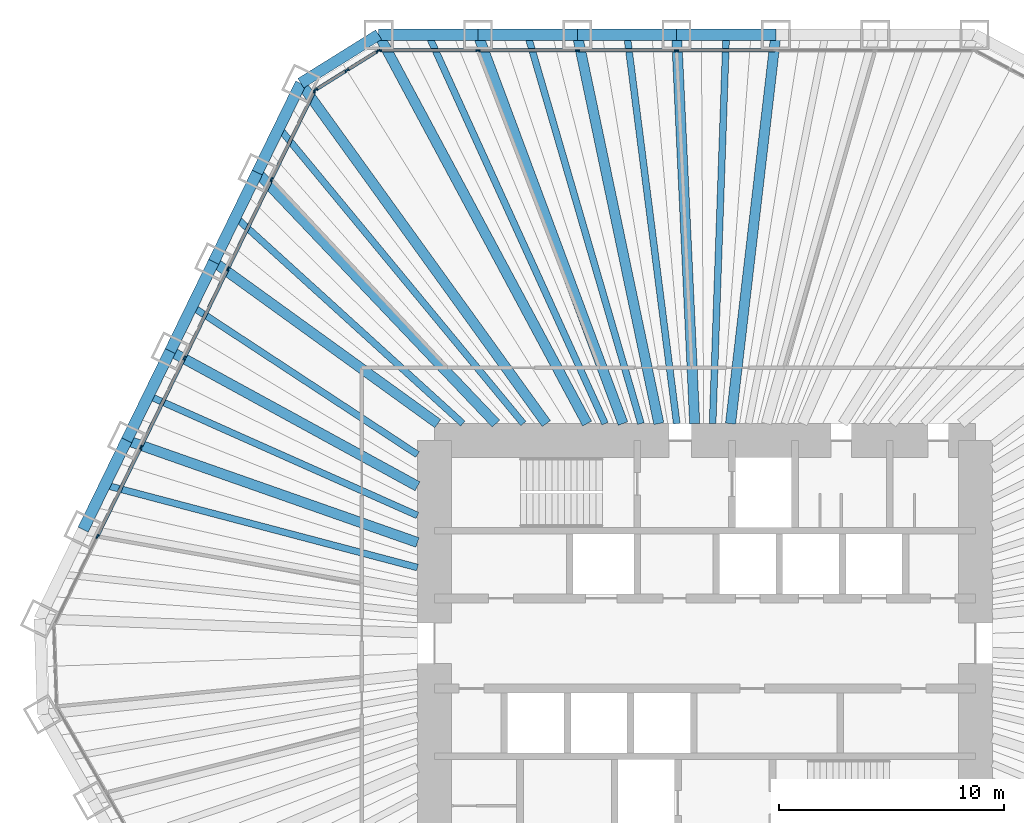
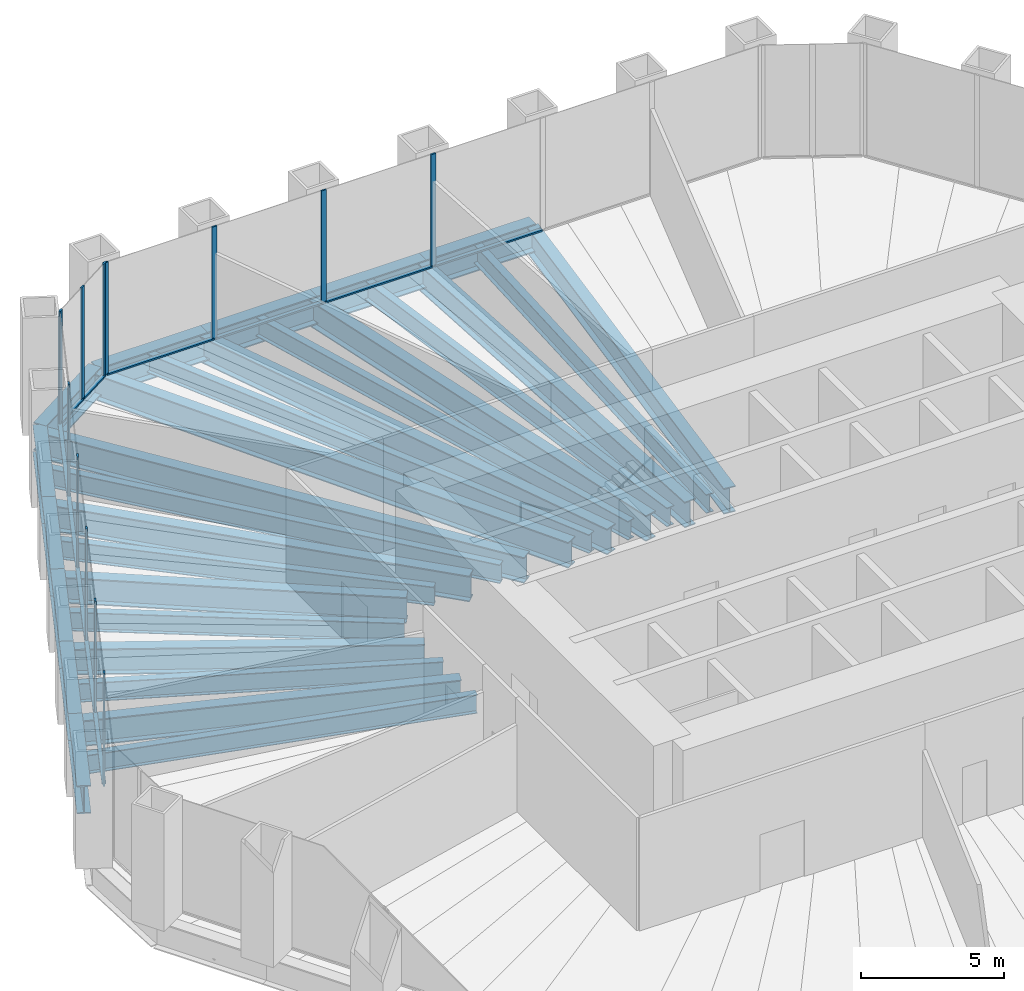
# One storey, part 6 of 13: 29 beams, 24 members, 3 elements without a shape of their own.
"""IFC4 building model written with IfcOpenShell, lengths in metres."""

from ifc_helpers import new_model, si_unit, direction, frame, origin, origin_2d, place, context, subcontext, project, spatial, rectangle, i_section, extrude, material, material_profile, profile_set, type_object, element, aggregate, save


model = new_model("IFC4")

# Units and contexts
model_context = context("Model", 3, precision=1e-05, world=origin(), true_north=direction((0.0, 1.0)))
body_context = subcontext(model_context, "Body", "Model", "MODEL_VIEW")
ifc_project = project(units=[si_unit("LENGTHUNIT", "METRE"), si_unit("AREAUNIT", "SQUARE_METRE"), si_unit("VOLUMEUNIT", "CUBIC_METRE"), si_unit("PLANEANGLEUNIT", "RADIAN"), si_unit("MASSUNIT", "GRAM", prefix="KILO")], contexts=[model_context])

# Site, building, storey
site_placement = place(None, origin())
site = spatial("IfcSite", under=ifc_project, at=site_placement, CompositionType="ELEMENT")
building_placement = place(site_placement, origin())
building = spatial("IfcBuilding", under=site, at=building_placement, Name="Qingtian Harvest Tower", CompositionType="ELEMENT")
storey_placement = place(building_placement, frame((0.0, 0.0, 32.0)))
storey = spatial("IfcBuildingStorey", under=building, at=storey_placement, Name="L06", CompositionType="ELEMENT", Elevation=32.0)

# Beams
ifc_material_1 = material(Name="Steel SM570MC", Category="steel")
ifc_material_profile_1 = material_profile(ifc_material_1, i_section(OverallWidth=0.449951171875, OverallDepth=1.10009765625, WebThickness=0.02197265625, FlangeThickness=0.044921875, at=origin_2d()), Name="H1100x450x22x45")
ifc_profile_set_1 = profile_set([ifc_material_profile_1], Name="Steel SM570MC")
beam_type_1 = type_object("IfcBeamType", Name="Corner floor beam FB8 H1100x450x22x45", PredefinedType="BEAM", material=ifc_profile_set_1)
beam_1_placement = place(storey_placement, frame((-14.471435546875, 27.0, -0.75), z_axis=(0.472401408299, -0.881383520062, 0.0), x_axis=(0.881383520062, 0.472401408299, 0.0)))
element("IfcBeam", 1, at=beam_1_placement, inside=storey, type_object=beam_type_1, Name="Floor beam FB8 N0", PredefinedType="BEAM", context=body_context, shape_type="SweptSolid", body=[
    extrude(i_section(OverallWidth=0.449951171875, OverallDepth=1.10009765625, WebThickness=0.02197265625, FlangeThickness=0.044921875, at=origin_2d()), origin(), (0.0, 0.0, 1.0), 19.571533203125),
])
beam_2_placement = place(storey_placement, frame((-17.923583984375, 24.8427734375, -0.75), z_axis=(0.585095822328, -0.810964166098, 0.0), x_axis=(0.810964166098, 0.585095822328, 0.0)))
element("IfcBeam", 2, at=beam_2_placement, inside=storey, type_object=beam_type_1, Name="Floor beam FB8 NW6", PredefinedType="BEAM", context=body_context, shape_type="SweptSolid", body=[
    extrude(i_section(OverallWidth=0.449951171875, OverallDepth=1.10009765625, WebThickness=0.02197265625, FlangeThickness=0.044921875, at=origin_2d()), origin(), (0.0, 0.0, 1.0), 18.61083984375),
])
ifc_material_2 = material(Name="Steel SM570MC", Category="steel")
ifc_material_profile_2 = material_profile(ifc_material_2, i_section(OverallWidth=0.449951171875, OverallDepth=1.10009765625, WebThickness=0.02197265625, FlangeThickness=0.044921875, at=origin_2d()), Name="H1100x450x22x45")
ifc_profile_set_2 = profile_set([ifc_material_profile_2], Name="Steel SM570MC")
beam_type_2 = type_object("IfcBeamType", Name="Floor beam FB1 H1100x450x22x45", PredefinedType="BEAM", material=ifc_profile_set_2)
beam_3_placement = place(storey_placement, frame((-10.06689453125, 27.0, -0.75), z_axis=(0.349355612113, -0.936990211414, 0.0), x_axis=(0.936990211414, 0.349355612113, 0.0)))
element("IfcBeam", 3, at=beam_3_placement, inside=storey, type_object=beam_type_2, Name="Floor beam FB1 N1", PredefinedType="BEAM", context=body_context, shape_type="SweptSolid", body=[
    extrude(i_section(OverallWidth=0.449951171875, OverallDepth=1.10009765625, WebThickness=0.02197265625, FlangeThickness=0.044921875, at=origin_2d()), origin(), (0.0, 0.0, 1.0), 18.409912109375),
])
beam_4_placement = place(storey_placement, frame((-5.662353515625, 27.0, -0.75), z_axis=(0.205255077335, -0.978708512903, 0.0), x_axis=(0.978708512903, 0.205255077335, 0.0)))
element("IfcBeam", 4, at=beam_4_placement, inside=storey, type_object=beam_type_2, Name="Floor beam FB1 N2", PredefinedType="BEAM", context=body_context, shape_type="SweptSolid", body=[
    extrude(i_section(OverallWidth=0.449951171875, OverallDepth=1.10009765625, WebThickness=0.02197265625, FlangeThickness=0.044921875, at=origin_2d()), origin(), (0.0, 0.0, 1.0), 17.625244140625),
])
beam_5_placement = place(storey_placement, frame((-1.257568359375, 27.0, -0.75), z_axis=(0.046527342366, -0.99891701678, 0.0), x_axis=(0.99891701678, 0.046527342366, 0.0)))
element("IfcBeam", 5, at=beam_5_placement, inside=storey, type_object=beam_type_2, Name="Floor beam FB1 N3", PredefinedType="BEAM", context=body_context, shape_type="SweptSolid", body=[
    extrude(i_section(OverallWidth=0.449951171875, OverallDepth=1.10009765625, WebThickness=0.02197265625, FlangeThickness=0.044921875, at=origin_2d()), origin(), (0.0, 0.0, 1.0), 17.268798828125),
])
beam_6_placement = place(storey_placement, frame((3.14697265625, 27.0, -0.75), z_axis=(-0.115766971807, -0.993276400726, 0.0), x_axis=(0.993276400726, -0.115766971807, 0.0)))
element("IfcBeam", 6, at=beam_6_placement, inside=storey, type_object=beam_type_2, Name="Floor beam FB1 N4", PredefinedType="BEAM", context=body_context, shape_type="SweptSolid", body=[
    extrude(i_section(OverallWidth=0.449951171875, OverallDepth=1.10009765625, WebThickness=0.02197265625, FlangeThickness=0.044921875, at=origin_2d()), origin(), (0.0, 0.0, 1.0), 17.36669921875),
])
beam_7_placement = place(storey_placement, frame((-25.64697265625, 9.007568359375, -0.75), z_axis=(0.943501950009, -0.331366972296, 0.0), x_axis=(0.331366972296, 0.943501950009, 0.0)))
element("IfcBeam", 7, at=beam_7_placement, inside=storey, type_object=beam_type_2, Name="Floor beam FB1 NW2", PredefinedType="BEAM", context=body_context, shape_type="SweptSolid", body=[
    extrude(i_section(OverallWidth=0.449951171875, OverallDepth=1.10009765625, WebThickness=0.02197265625, FlangeThickness=0.044921875, at=origin_2d()), origin(), (0.0, 0.0, 1.0), 13.669189453125),
])
beam_8_placement = place(storey_placement, frame((-23.716064453125, 12.96630859375, -0.75), z_axis=(0.877428569154, -0.479707312882, 0.0), x_axis=(0.479707312882, 0.877428569154, 0.0)))
element("IfcBeam", 8, at=beam_8_placement, inside=storey, type_object=beam_type_2, Name="Floor beam FB1 NW3", PredefinedType="BEAM", context=body_context, shape_type="SweptSolid", body=[
    extrude(i_section(OverallWidth=0.449951171875, OverallDepth=1.10009765625, WebThickness=0.02197265625, FlangeThickness=0.044921875, at=origin_2d()), origin(), (0.0, 0.0, 1.0), 12.498046875),
])
beam_9_placement = place(storey_placement, frame((-21.78515625, 16.92529296875, -0.75), z_axis=(0.810680279019, -0.585489099139, 0.0), x_axis=(0.585489099139, 0.810680279019, 0.0)))
element("IfcBeam", 9, at=beam_9_placement, inside=storey, type_object=beam_type_2, Name="Floor beam FB1 NW4", PredefinedType="BEAM", context=body_context, shape_type="SweptSolid", body=[
    extrude(i_section(OverallWidth=0.449951171875, OverallDepth=1.10009765625, WebThickness=0.02197265625, FlangeThickness=0.044921875, at=origin_2d()), origin(), (0.0, 0.0, 1.0), 12.255126953125),
])
beam_10_placement = place(storey_placement, frame((-19.8544921875, 20.884033203125, -0.75), z_axis=(0.689018801535, -0.724743465739, 0.0), x_axis=(0.724743465739, 0.689018801535, 0.0)))
element("IfcBeam", 10, at=beam_10_placement, inside=storey, type_object=beam_type_2, Name="Floor beam FB1 NW5", PredefinedType="BEAM", context=body_context, shape_type="SweptSolid", body=[
    extrude(i_section(OverallWidth=0.449951171875, OverallDepth=1.10009765625, WebThickness=0.02197265625, FlangeThickness=0.044921875, at=origin_2d()), origin(), (0.0, 0.0, 1.0), 15.36279296875),
])
ifc_material_3 = material(Name="Steel SN490B", Category="steel")
ifc_material_profile_3 = material_profile(ifc_material_3, i_section(OverallWidth=0.300048828125, OverallDepth=0.800048828125, WebThickness=0.013916015625, FlangeThickness=0.02587890625, at=origin_2d()), Name="H800x300x14x26")
ifc_profile_set_3 = profile_set([ifc_material_profile_3], Name="Steel SN490B")
beam_type_3 = type_object("IfcBeamType", Name="Floor joist J1 H800x300x14x26", PredefinedType="JOIST", material=ifc_profile_set_3)
beam_11_placement = place(storey_placement, frame((-12.269287109375, 27.0, -0.60009765625), z_axis=(0.413713629402, -0.910407069858, 0.0), x_axis=(0.910407069858, 0.413713629402, 0.0)))
element("IfcBeam", 11, at=beam_11_placement, inside=storey, type_object=beam_type_3, Name="Floor joist J1 N0", PredefinedType="JOIST", context=body_context, shape_type="SweptSolid", body=[
    extrude(i_section(OverallWidth=0.300048828125, OverallDepth=0.800048828125, WebThickness=0.013916015625, FlangeThickness=0.02587890625, at=origin_2d()), origin(), (0.0, 0.0, 1.0), 18.947509765625),
])
beam_12_placement = place(storey_placement, frame((-7.864501953125, 27.0, -0.60009765625), z_axis=(0.279649335299, -0.960102207719, 0.0), x_axis=(0.960102207719, 0.279649335299, 0.0)))
element("IfcBeam", 12, at=beam_12_placement, inside=storey, type_object=beam_type_3, Name="Floor joist J1 N1", PredefinedType="JOIST", context=body_context, shape_type="SweptSolid", body=[
    extrude(i_section(OverallWidth=0.300048828125, OverallDepth=0.800048828125, WebThickness=0.013916015625, FlangeThickness=0.02587890625, at=origin_2d()), origin(), (0.0, 0.0, 1.0), 17.966796875),
])
beam_13_placement = place(storey_placement, frame((-3.4599609375, 27.0, -0.60009765625), z_axis=(0.127102696173, -0.991889562716, 0.0), x_axis=(0.991889562716, 0.127102696173, 0.0)))
element("IfcBeam", 13, at=beam_13_placement, inside=storey, type_object=beam_type_3, Name="Floor joist J1 N2", PredefinedType="JOIST", context=body_context, shape_type="SweptSolid", body=[
    extrude(i_section(OverallWidth=0.300048828125, OverallDepth=0.800048828125, WebThickness=0.013916015625, FlangeThickness=0.02587890625, at=origin_2d()), origin(), (0.0, 0.0, 1.0), 17.39111328125),
])
beam_14_placement = place(storey_placement, frame((0.944580078125, 27.0, -0.60009765625), z_axis=(-0.034965020137, -0.99938853674, 0.0), x_axis=(0.99938853674, -0.034965020137, 0.0)))
element("IfcBeam", 14, at=beam_14_placement, inside=storey, type_object=beam_type_3, Name="Floor joist J1 N3", PredefinedType="JOIST", context=body_context, shape_type="SweptSolid", body=[
    extrude(i_section(OverallWidth=0.300048828125, OverallDepth=0.800048828125, WebThickness=0.013916015625, FlangeThickness=0.02587890625, at=origin_2d()), origin(), (0.0, 0.0, 1.0), 17.260498046875),
])
beam_15_placement = place(storey_placement, frame((-26.6123046875, 7.028076171875, -0.60009765625), z_axis=(0.966852496992, -0.255335561684, 0.0), x_axis=(0.255335561684, 0.966852496992, 0.0)))
element("IfcBeam", 15, at=beam_15_placement, inside=storey, type_object=beam_type_3, Name="Floor joist J1 NW1", PredefinedType="JOIST", context=body_context, shape_type="SweptSolid", body=[
    extrude(i_section(OverallWidth=0.300048828125, OverallDepth=0.800048828125, WebThickness=0.013916015625, FlangeThickness=0.02587890625, at=origin_2d()), origin(), (0.0, 0.0, 1.0), 14.337646484375),
])
beam_16_placement = place(storey_placement, frame((-24.681640625, 10.987060546875, -0.60009765625), z_axis=(0.913567796195, -0.406686466157, 0.0), x_axis=(0.406686466157, 0.913567796195, 0.0)))
element("IfcBeam", 16, at=beam_16_placement, inside=storey, type_object=beam_type_3, Name="Floor joist J1 NW2", PredefinedType="JOIST", context=body_context, shape_type="SweptSolid", body=[
    extrude(i_section(OverallWidth=0.300048828125, OverallDepth=0.800048828125, WebThickness=0.013916015625, FlangeThickness=0.02587890625, at=origin_2d()), origin(), (0.0, 0.0, 1.0), 13.060546875),
])
beam_17_placement = place(storey_placement, frame((-22.750732421875, 14.94580078125, -0.60009765625), z_axis=(0.835785467613, -0.549056146607, 0.0), x_axis=(0.549056146607, 0.835785467613, 0.0)))
element("IfcBeam", 17, at=beam_17_placement, inside=storey, type_object=beam_type_3, Name="Floor joist J1 NW3", PredefinedType="JOIST", context=body_context, shape_type="SweptSolid", body=[
    extrude(i_section(OverallWidth=0.300048828125, OverallDepth=0.800048828125, WebThickness=0.013916015625, FlangeThickness=0.02587890625, at=origin_2d()), origin(), (0.0, 0.0, 1.0), 11.965576171875),
])
beam_18_placement = place(storey_placement, frame((-20.81982421875, 18.904541015625, -0.60009765625), z_axis=(0.740339866926, -0.672232758381, 0.0), x_axis=(0.672232758381, 0.740339866926, 0.0)))
element("IfcBeam", 18, at=beam_18_placement, inside=storey, type_object=beam_type_3, Name="Floor joist J1 NW4", PredefinedType="JOIST", context=body_context, shape_type="SweptSolid", body=[
    extrude(i_section(OverallWidth=0.300048828125, OverallDepth=0.800048828125, WebThickness=0.013916015625, FlangeThickness=0.02587890625, at=origin_2d()), origin(), (0.0, 0.0, 1.0), 13.6181640625),
])
beam_19_placement = place(storey_placement, frame((-18.888916015625, 22.863525390625, -0.60009765625), z_axis=(0.636910378144, -0.77093785107, 0.0), x_axis=(0.77093785107, 0.636910378144, 0.0)))
element("IfcBeam", 19, at=beam_19_placement, inside=storey, type_object=beam_type_3, Name="Floor joist J1 NW5", PredefinedType="JOIST", context=body_context, shape_type="SweptSolid", body=[
    extrude(i_section(OverallWidth=0.300048828125, OverallDepth=0.800048828125, WebThickness=0.013916015625, FlangeThickness=0.02587890625, at=origin_2d()), origin(), (0.0, 0.0, 1.0), 17.009765625),
])

# Curtain wall, members
ifc_material_4 = material(Name="Bronze-anodised aluminium curtain wall", Category="aluminium")
curtain_wall_type = type_object("IfcCurtainWallType", Name="Curtain wall CW2 farm reception", PredefinedType="USERDEFINED", material=ifc_material_4)
curtain_wall_1_placement = place(storey_placement, origin())
curtain_wall_1 = element("IfcCurtainWall", 20, at=curtain_wall_1_placement, inside=storey, type_object=curtain_wall_type, Name="Curtain wall CW2 L06 N0-5", ObjectType="RECESSED CURTAIN WALL", PredefinedType="USERDEFINED")
ifc_material_5 = material(Name="Bronze-anodised aluminium mullion", Category="aluminium")
ifc_material_profile_4 = material_profile(ifc_material_5, rectangle(XDim=0.06494140625, YDim=0.199951171875, at=origin_2d()), Name="AL 65x200")
ifc_profile_set_4 = profile_set([ifc_material_profile_4], Name="Bronze-anodised aluminium mullion")
member_type_1 = type_object("IfcMemberType", Name="Mullion CWM 65x200", PredefinedType="MULLION", material=ifc_profile_set_4)
member_1_placement = place(storey_placement, frame((-14.43896484375, 26.300048828125, 0.0), z_axis=(0.0, 0.0, 1.0), x_axis=(0.0, 1.0, 0.0)))
member_1 = element("IfcMember", 21, at=member_1_placement, type_object=member_type_1, Name="CW2 mullion 1", PredefinedType="MULLION", context=body_context, shape_type="SweptSolid", body=[
    extrude(rectangle(XDim=0.06494140625, YDim=0.199951171875, at=origin_2d()), origin(), (0.0, 0.0, 1.0), 4.800048828125),
])
member_2_placement = place(storey_placement, frame((-10.06689453125, 26.300048828125, 0.0), z_axis=(0.0, 0.0, 1.0), x_axis=(0.0, 1.0, 0.0)))
member_2 = element("IfcMember", 22, at=member_2_placement, type_object=member_type_1, Name="CW2 mullion 2", PredefinedType="MULLION", context=body_context, shape_type="SweptSolid", body=[
    extrude(rectangle(XDim=0.06494140625, YDim=0.199951171875, at=origin_2d()), origin(), (0.0, 0.0, 1.0), 4.800048828125),
])
member_3_placement = place(storey_placement, frame((-5.662353515625, 26.300048828125, 0.0), z_axis=(0.0, 0.0, 1.0), x_axis=(0.0, 1.0, 0.0)))
member_3 = element("IfcMember", 23, at=member_3_placement, type_object=member_type_1, Name="CW2 mullion 3", PredefinedType="MULLION", context=body_context, shape_type="SweptSolid", body=[
    extrude(rectangle(XDim=0.06494140625, YDim=0.199951171875, at=origin_2d()), origin(), (0.0, 0.0, 1.0), 4.800048828125),
])
member_4_placement = place(storey_placement, frame((-1.257568359375, 26.300048828125, 0.0), z_axis=(0.0, 0.0, 1.0), x_axis=(0.0, 1.0, 0.0)))
member_4 = element("IfcMember", 24, at=member_4_placement, type_object=member_type_1, Name="CW2 mullion 4", PredefinedType="MULLION", context=body_context, shape_type="SweptSolid", body=[
    extrude(rectangle(XDim=0.06494140625, YDim=0.199951171875, at=origin_2d()), origin(), (0.0, 0.0, 1.0), 4.800048828125),
])

curtain_wall_2_placement = place(storey_placement, origin())
curtain_wall_2 = element("IfcCurtainWall", 25, at=curtain_wall_2_placement, inside=storey, type_object=curtain_wall_type, Name="Curtain wall CW2 L06 NW0-5", ObjectType="RECESSED CURTAIN WALL", PredefinedType="USERDEFINED")
member_5_placement = place(storey_placement, frame((-26.94873046875, 4.741943359375, 0.0), z_axis=(0.0, 0.0, 1.0), x_axis=(-0.898794046299, 0.438371146789, 0.0)))
member_5 = element("IfcMember", 26, at=member_5_placement, type_object=member_type_1, Name="CW2 mullion 2", PredefinedType="MULLION", context=body_context, shape_type="SweptSolid", body=[
    extrude(rectangle(XDim=0.06494140625, YDim=0.199951171875, at=origin_2d()), origin(), (0.0, 0.0, 1.0), 4.800048828125),
])
member_6_placement = place(storey_placement, frame((-25.017822265625, 8.70068359375, 0.0), z_axis=(0.0, 0.0, 1.0), x_axis=(-0.898794046299, 0.438371146789, 0.0)))
member_6 = element("IfcMember", 27, at=member_6_placement, type_object=member_type_1, Name="CW2 mullion 3", PredefinedType="MULLION", context=body_context, shape_type="SweptSolid", body=[
    extrude(rectangle(XDim=0.06494140625, YDim=0.199951171875, at=origin_2d()), origin(), (0.0, 0.0, 1.0), 4.800048828125),
])
member_7_placement = place(storey_placement, frame((-23.0869140625, 12.659423828125, 0.0), z_axis=(0.0, 0.0, 1.0), x_axis=(-0.898794046299, 0.438371146789, 0.0)))
member_7 = element("IfcMember", 28, at=member_7_placement, type_object=member_type_1, Name="CW2 mullion 4", PredefinedType="MULLION", context=body_context, shape_type="SweptSolid", body=[
    extrude(rectangle(XDim=0.06494140625, YDim=0.199951171875, at=origin_2d()), origin(), (0.0, 0.0, 1.0), 4.800048828125),
])
member_8_placement = place(storey_placement, frame((-21.156005859375, 16.618408203125, 0.0), z_axis=(0.0, 0.0, 1.0), x_axis=(-0.898794046299, 0.438371146789, 0.0)))
member_8 = element("IfcMember", 29, at=member_8_placement, type_object=member_type_1, Name="CW2 mullion 5", PredefinedType="MULLION", context=body_context, shape_type="SweptSolid", body=[
    extrude(rectangle(XDim=0.06494140625, YDim=0.199951171875, at=origin_2d()), origin(), (0.0, 0.0, 1.0), 4.800048828125),
])
member_9_placement = place(storey_placement, frame((-19.225341796875, 20.5771484375, 0.0), z_axis=(0.0, 0.0, 1.0), x_axis=(-0.898794046299, 0.438371146789, 0.0)))
member_9 = element("IfcMember", 30, at=member_9_placement, type_object=member_type_1, Name="CW2 mullion 6", PredefinedType="MULLION", context=body_context, shape_type="SweptSolid", body=[
    extrude(rectangle(XDim=0.06494140625, YDim=0.199951171875, at=origin_2d()), origin(), (0.0, 0.0, 1.0), 4.800048828125),
])
member_10_placement = place(storey_placement, frame((-17.30859375, 24.5068359375, 0.0), z_axis=(0.0, 0.0, 1.0), x_axis=(-0.898794046299, 0.438371146789, 0.0)))
member_10 = element("IfcMember", 31, at=member_10_placement, type_object=member_type_1, Name="CW2 mullion 7", PredefinedType="MULLION", context=body_context, shape_type="SweptSolid", body=[
    extrude(rectangle(XDim=0.06494140625, YDim=0.199951171875, at=origin_2d()), origin(), (0.0, 0.0, 1.0), 4.800048828125),
])

curtain_wall_3_placement = place(storey_placement, origin())
curtain_wall_3 = element("IfcCurtainWall", 32, at=curtain_wall_3_placement, inside=storey, type_object=curtain_wall_type, Name="Curtain wall CW2 L06 NWC", ObjectType="RECESSED CURTAIN WALL", PredefinedType="USERDEFINED")
member_11_placement = place(storey_placement, frame((-17.266845703125, 24.55322265625, 0.0), z_axis=(0.0, 0.0, 1.0), x_axis=(-0.529919264233, 0.848048096156, 0.0)))
member_11 = element("IfcMember", 33, at=member_11_placement, type_object=member_type_1, Name="CW2 mullion 1", PredefinedType="MULLION", context=body_context, shape_type="SweptSolid", body=[
    extrude(rectangle(XDim=0.06494140625, YDim=0.199951171875, at=origin_2d()), origin(), (0.0, 0.0, 1.0), 4.800048828125),
])
member_12_placement = place(storey_placement, frame((-15.883056640625, 25.41796875, 0.0), z_axis=(0.0, 0.0, 1.0), x_axis=(-0.529919264233, 0.848048096156, 0.0)))
member_12 = element("IfcMember", 34, at=member_12_placement, type_object=member_type_1, Name="CW2 mullion 2", PredefinedType="MULLION", context=body_context, shape_type="SweptSolid", body=[
    extrude(rectangle(XDim=0.06494140625, YDim=0.199951171875, at=origin_2d()), origin(), (0.0, 0.0, 1.0), 4.800048828125),
])
member_13_placement = place(storey_placement, frame((-14.4990234375, 26.28271484375, 0.0), z_axis=(0.0, 0.0, 1.0), x_axis=(-0.529919264233, 0.848048096156, 0.0)))
member_13 = element("IfcMember", 35, at=member_13_placement, type_object=member_type_1, Name="CW2 mullion 3", PredefinedType="MULLION", context=body_context, shape_type="SweptSolid", body=[
    extrude(rectangle(XDim=0.06494140625, YDim=0.199951171875, at=origin_2d()), origin(), (0.0, 0.0, 1.0), 4.800048828125),
])

# Beams
ifc_material_6 = material(Name="Steel SM570MC", Category="steel")
ifc_material_profile_5 = material_profile(ifc_material_6, i_section(OverallWidth=0.5, OverallDepth=1.199951171875, WebThickness=0.02490234375, FlangeThickness=0.050048828125, at=origin_2d()), Name="H1200x500x25x50")
ifc_profile_set_5 = profile_set([ifc_material_profile_5], Name="Steel SM570MC")
beam_type_4 = type_object("IfcBeamType", Name="Spandrel beam SB1 H1200x500x25x50", PredefinedType="SPANDREL", material=ifc_profile_set_5)
for number, where, z_axis, x_axis, name in (
    (36, (-14.471435546875, 27.0, -0.60009765625), (1.0, 0.0, 0.0), (0.0, 1.0, 0.0), "Spandrel SB1 N0"),
    (37, (-10.06689453125, 27.0, -0.60009765625), (1.0, 0.0, 0.0), (0.0, 1.0, 0.0), "Spandrel SB1 N1"),
):
    element("IfcBeam", number, at=place(storey_placement, frame(where, z_axis=z_axis, x_axis=x_axis)), inside=storey, type_object=beam_type_4, Name=name, PredefinedType="SPANDREL", context=body_context, shape_type="SweptSolid", body=[
        extrude(i_section(OverallWidth=0.5, OverallDepth=1.199951171875, WebThickness=0.02490234375, FlangeThickness=0.050048828125, at=origin_2d()), origin(), (0.0, 0.0, 1.0), 4.404541015625),
    ])
beam_20_placement = place(storey_placement, frame((-5.662353515625, 27.0, -0.60009765625), z_axis=(1.0, 0.0, 0.0), x_axis=(0.0, 1.0, 0.0)))
element("IfcBeam", 38, at=beam_20_placement, inside=storey, type_object=beam_type_4, Name="Spandrel SB1 N2", PredefinedType="SPANDREL", context=body_context, shape_type="SweptSolid", body=[
    extrude(i_section(OverallWidth=0.5, OverallDepth=1.199951171875, WebThickness=0.02490234375, FlangeThickness=0.050048828125, at=origin_2d()), origin(), (0.0, 0.0, 1.0), 4.40478515625),
])
for number, where, z_axis, x_axis, name in (
    (39, (-1.257568359375, 27.0, -0.60009765625), (1.0, 0.0, 0.0), (0.0, 1.0, 0.0), "Spandrel SB1 N3"),
    (40, (-27.577880859375, 5.048828125, -0.60009765625), (0.438389777529, 0.898784959241, 0.0), (-0.898784959241, 0.438389777529, 0.0), "Spandrel SB1 NW1"),
    (41, (-25.64697265625, 9.007568359375, -0.60009765625), (0.438389777529, 0.898784959241, 0.0), (-0.898784959241, 0.438389777529, 0.0), "Spandrel SB1 NW2"),
):
    element("IfcBeam", number, at=place(storey_placement, frame(where, z_axis=z_axis, x_axis=x_axis)), inside=storey, type_object=beam_type_4, Name=name, PredefinedType="SPANDREL", context=body_context, shape_type="SweptSolid", body=[
        extrude(i_section(OverallWidth=0.5, OverallDepth=1.199951171875, WebThickness=0.02490234375, FlangeThickness=0.050048828125, at=origin_2d()), origin(), (0.0, 0.0, 1.0), 4.404541015625),
    ])
beam_21_placement = place(storey_placement, frame((-23.716064453125, 12.96630859375, -0.60009765625), z_axis=(0.438367938366, 0.898795611145, 0.0), x_axis=(-0.898795611145, 0.438367938366, 0.0)))
element("IfcBeam", 42, at=beam_21_placement, inside=storey, type_object=beam_type_4, Name="Spandrel SB1 NW3", PredefinedType="SPANDREL", context=body_context, shape_type="SweptSolid", body=[
    extrude(i_section(OverallWidth=0.5, OverallDepth=1.199951171875, WebThickness=0.02490234375, FlangeThickness=0.050048828125, at=origin_2d()), origin(), (0.0, 0.0, 1.0), 4.40478515625),
])
for number, where, z_axis, x_axis, name in (
    (43, (-21.78515625, 16.92529296875, -0.60009765625), (0.438344999367, 0.898806798778, 0.0), (-0.898806798778, 0.438344999367, 0.0), "Spandrel SB1 NW4"),
    (44, (-19.8544921875, 20.884033203125, -0.60009765625), (0.438389777529, 0.898784959241, 0.0), (-0.898784959241, 0.438389777529, 0.0), "Spandrel SB1 NW5"),
):
    element("IfcBeam", number, at=place(storey_placement, frame(where, z_axis=z_axis, x_axis=x_axis)), inside=storey, type_object=beam_type_4, Name=name, PredefinedType="SPANDREL", context=body_context, shape_type="SweptSolid", body=[
        extrude(i_section(OverallWidth=0.5, OverallDepth=1.199951171875, WebThickness=0.02490234375, FlangeThickness=0.050048828125, at=origin_2d()), origin(), (0.0, 0.0, 1.0), 4.404541015625),
    ])
beam_22_placement = place(storey_placement, frame((-17.923583984375, 24.8427734375, -0.60009765625), z_axis=(0.848038733752, 0.529934246919, 0.0), x_axis=(-0.529934246919, 0.848038733752, 0.0)))
element("IfcBeam", 45, at=beam_22_placement, inside=storey, type_object=beam_type_4, Name="Spandrel SB1 NWC", PredefinedType="SPANDREL", context=body_context, shape_type="SweptSolid", body=[
    extrude(i_section(OverallWidth=0.5, OverallDepth=1.199951171875, WebThickness=0.02490234375, FlangeThickness=0.050048828125, at=origin_2d()), origin(), (0.0, 0.0, 1.0), 4.07080078125),
])

# Member
ifc_material_7 = material(Name="Bronze-anodised aluminium transom", Category="aluminium")
ifc_material_profile_6 = material_profile(ifc_material_7, rectangle(XDim=0.14990234375, YDim=0.06494140625, at=origin_2d()), Name="AL 65x150")
ifc_profile_set_6 = profile_set([ifc_material_profile_6], Name="Bronze-anodised aluminium transom")
member_type_2 = type_object("IfcMemberType", Name="Transom CWT 65x150", PredefinedType="USERDEFINED", material=ifc_profile_set_6)
member_14_placement = place(storey_placement, frame((-14.406494140625, 26.300048828125, 0.032470703125), z_axis=(1.0, 0.0, 0.0), x_axis=(0.0, 1.0, 0.0)))
member_14 = element("IfcMember", 46, at=member_14_placement, type_object=member_type_2, Name="CW2 transom 1.1", ObjectType="TRANSOM", PredefinedType="USERDEFINED", context=body_context, shape_type="SweptSolid", body=[
    extrude(rectangle(XDim=0.14990234375, YDim=0.06494140625, at=origin_2d()), origin(), (0.0, 0.0, 1.0), 4.30712890625),
])

member_15_placement = place(storey_placement, frame((-10.034423828125, 26.300048828125, 0.032470703125), z_axis=(1.0, 0.0, 0.0), x_axis=(0.0, 1.0, 0.0)))
member_15 = element("IfcMember", 47, at=member_15_placement, type_object=member_type_2, Name="CW2 transom 2.1", ObjectType="TRANSOM", PredefinedType="USERDEFINED", context=body_context, shape_type="SweptSolid", body=[
    extrude(rectangle(XDim=0.14990234375, YDim=0.06494140625, at=origin_2d()), origin(), (0.0, 0.0, 1.0), 4.339599609375),
])

member_16_placement = place(storey_placement, frame((-5.6298828125, 26.300048828125, 0.032470703125), z_axis=(1.0, 0.0, 0.0), x_axis=(0.0, 1.0, 0.0)))
member_16 = element("IfcMember", 48, at=member_16_placement, type_object=member_type_2, Name="CW2 transom 3.1", ObjectType="TRANSOM", PredefinedType="USERDEFINED", context=body_context, shape_type="SweptSolid", body=[
    extrude(rectangle(XDim=0.14990234375, YDim=0.06494140625, at=origin_2d()), origin(), (0.0, 0.0, 1.0), 4.33984375),
])

member_17_placement = place(storey_placement, frame((-1.22509765625, 26.300048828125, 0.032470703125), z_axis=(1.0, 0.0, 0.0), x_axis=(0.0, 1.0, 0.0)))
member_17 = element("IfcMember", 49, at=member_17_placement, type_object=member_type_2, Name="CW2 transom 4.1", ObjectType="TRANSOM", PredefinedType="USERDEFINED", context=body_context, shape_type="SweptSolid", body=[
    extrude(rectangle(XDim=0.14990234375, YDim=0.06494140625, at=origin_2d()), origin(), (0.0, 0.0, 1.0), 4.339599609375),
])

aggregate(curtain_wall_1, [member_1, member_2, member_3, member_4, member_14, member_15, member_16, member_17])

member_18_placement = place(storey_placement, frame((-26.934326171875, 4.77099609375, 0.032470703125), z_axis=(0.438370427127, 0.898794397302, 0.0), x_axis=(-0.898794397302, 0.438370427127, 0.0)))
member_18 = element("IfcMember", 50, at=member_18_placement, type_object=member_type_2, Name="CW2 transom 2.1", ObjectType="TRANSOM", PredefinedType="USERDEFINED", context=body_context, shape_type="SweptSolid", body=[
    extrude(rectangle(XDim=0.14990234375, YDim=0.06494140625, at=origin_2d()), origin(), (0.0, 0.0, 1.0), 4.339599609375),
])

member_19_placement = place(storey_placement, frame((-25.003662109375, 8.72998046875, 0.032470703125), z_axis=(0.438370427127, 0.898794397302, 0.0), x_axis=(-0.898794397302, 0.438370427127, 0.0)))
member_19 = element("IfcMember", 51, at=member_19_placement, type_object=member_type_2, Name="CW2 transom 3.1", ObjectType="TRANSOM", PredefinedType="USERDEFINED", context=body_context, shape_type="SweptSolid", body=[
    extrude(rectangle(XDim=0.14990234375, YDim=0.06494140625, at=origin_2d()), origin(), (0.0, 0.0, 1.0), 4.339599609375),
])

member_20_placement = place(storey_placement, frame((-23.07275390625, 12.688720703125, 0.032470703125), z_axis=(0.438370427127, 0.898794397302, 0.0), x_axis=(-0.898794397302, 0.438370427127, 0.0)))
member_20 = element("IfcMember", 52, at=member_20_placement, type_object=member_type_2, Name="CW2 transom 4.1", ObjectType="TRANSOM", PredefinedType="USERDEFINED", context=body_context, shape_type="SweptSolid", body=[
    extrude(rectangle(XDim=0.14990234375, YDim=0.06494140625, at=origin_2d()), origin(), (0.0, 0.0, 1.0), 4.339599609375),
])

member_21_placement = place(storey_placement, frame((-21.141845703125, 16.6474609375, 0.032470703125), z_axis=(0.438348261778, 0.898805207704, 0.0), x_axis=(-0.898805207704, 0.438348261778, 0.0)))
member_21 = element("IfcMember", 53, at=member_21_placement, type_object=member_type_2, Name="CW2 transom 5.1", ObjectType="TRANSOM", PredefinedType="USERDEFINED", context=body_context, shape_type="SweptSolid", body=[
    extrude(rectangle(XDim=0.14990234375, YDim=0.06494140625, at=origin_2d()), origin(), (0.0, 0.0, 1.0), 4.33984375),
])

member_22_placement = place(storey_placement, frame((-19.2109375, 20.6064453125, 0.032470703125), z_axis=(0.438348803491, 0.89880494351, 0.0), x_axis=(-0.89880494351, 0.438348803491, 0.0)))
member_22 = element("IfcMember", 54, at=member_22_placement, type_object=member_type_2, Name="CW2 transom 6.1", ObjectType="TRANSOM", PredefinedType="USERDEFINED", context=body_context, shape_type="SweptSolid", body=[
    extrude(rectangle(XDim=0.14990234375, YDim=0.06494140625, at=origin_2d()), origin(), (0.0, 0.0, 1.0), 4.306884765625),
])

aggregate(curtain_wall_2, [member_5, member_6, member_7, member_8, member_9, member_10, member_18, member_19, member_20, member_21, member_22])

member_23_placement = place(storey_placement, frame((-17.2392578125, 24.570556640625, 0.032470703125), z_axis=(0.848059570903, 0.529900900357, 0.0), x_axis=(-0.529900900357, 0.848059570903, 0.0)))
member_23 = element("IfcMember", 55, at=member_23_placement, type_object=member_type_2, Name="CW2 transom 1.1", ObjectType="TRANSOM", PredefinedType="USERDEFINED", context=body_context, shape_type="SweptSolid", body=[
    extrude(rectangle(XDim=0.14990234375, YDim=0.06494140625, at=origin_2d()), origin(), (0.0, 0.0, 1.0), 1.56689453125),
])

member_24_placement = place(storey_placement, frame((-15.85546875, 25.435302734375, 0.032470703125), z_axis=(0.848059570903, 0.529900900357, 0.0), x_axis=(-0.529900900357, 0.848059570903, 0.0)))
member_24 = element("IfcMember", 56, at=member_24_placement, type_object=member_type_2, Name="CW2 transom 2.1", ObjectType="TRANSOM", PredefinedType="USERDEFINED", context=body_context, shape_type="SweptSolid", body=[
    extrude(rectangle(XDim=0.14990234375, YDim=0.06494140625, at=origin_2d()), origin(), (0.0, 0.0, 1.0), 1.56689453125),
])

aggregate(curtain_wall_3, [member_11, member_12, member_13, member_23, member_24])

save(model, "model.ifc")
